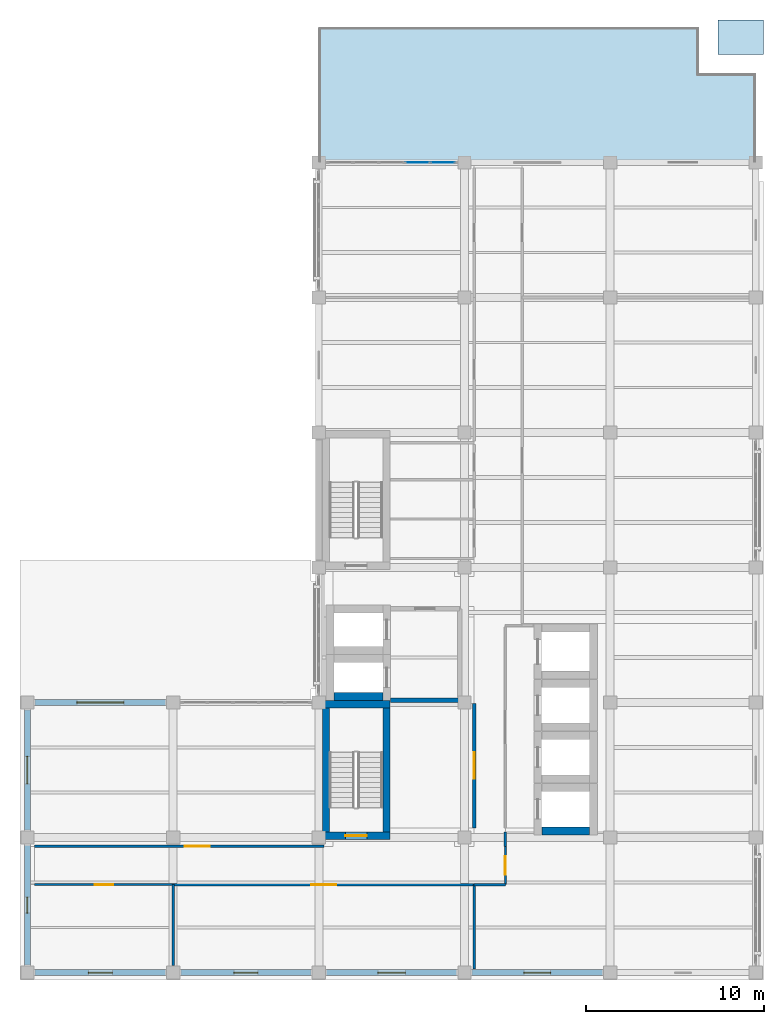
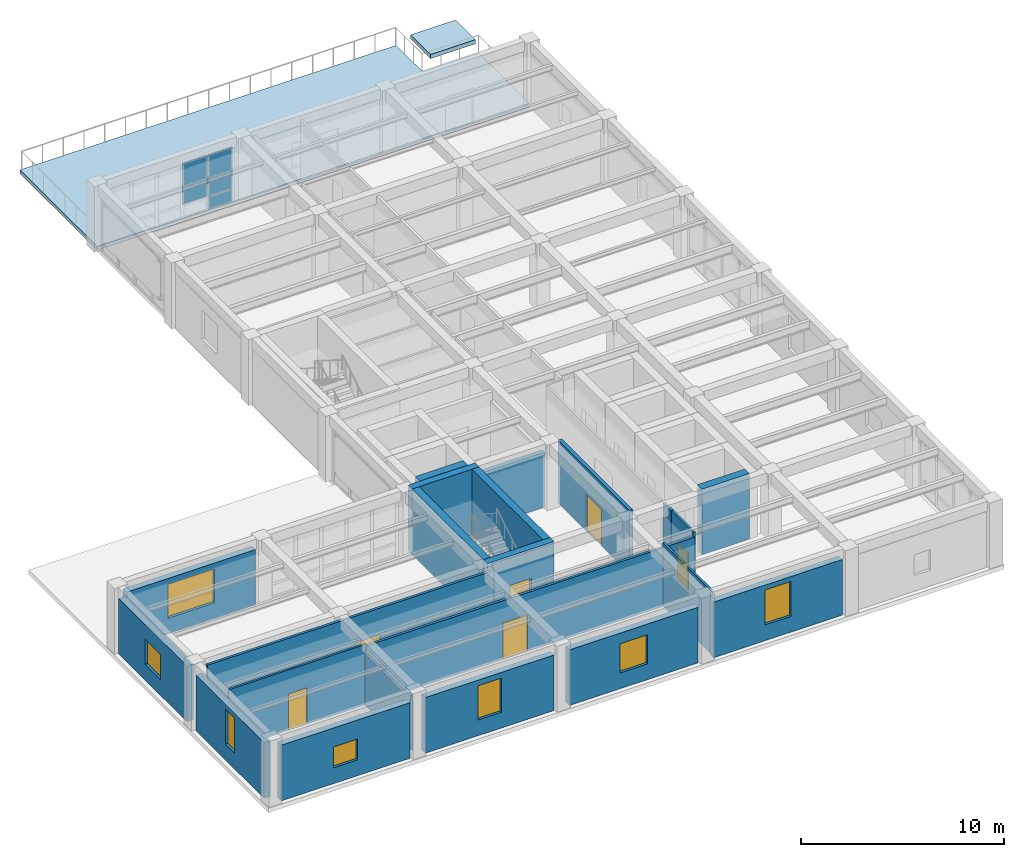
# One storey, part 6 of 12: 23 walls, 7 windows, 6 doors, 3 plates, 2 slabs, 13 openings, 1 element without a shape of its own.
"""IFC4 building model written with IfcOpenShell, lengths in metres."""

from ifc_helpers import new_model, si_unit, direction, frame, frame_2d, origin, origin_2d, place, context, subcontext, project, spatial, polyline, rectangle, outline, extrude, material, layer, layer_set, type_object, element, fill, aggregate, save


model = new_model("IFC4")

# Units and contexts
model_context = context("Model", 3, precision=1e-05, world=origin(), true_north=direction((0.0, 1.0)))
body_context = subcontext(model_context, "Body", "Model", "MODEL_VIEW")
ifc_project = project(units=[si_unit("LENGTHUNIT", "METRE"), si_unit("AREAUNIT", "SQUARE_METRE"), si_unit("VOLUMEUNIT", "CUBIC_METRE"), si_unit("PLANEANGLEUNIT", "RADIAN"), si_unit("MASSUNIT", "GRAM", prefix="KILO")], contexts=[model_context])

# Site, building, storey
site_placement = place(None, origin())
site = spatial("IfcSite", under=ifc_project, at=site_placement, CompositionType="ELEMENT")
building_placement = place(site_placement, origin())
building = spatial("IfcBuilding", under=site, at=building_placement, Name="Qandaris Square Conservatory and Botanical Centre", CompositionType="ELEMENT")
storey_placement = place(building_placement, frame((0.0, 0.0, 53.39990234375)))
storey = spatial("IfcBuildingStorey", under=building, at=storey_placement, Name="L12", CompositionType="ELEMENT", Elevation=53.39990234375)

# Curtain wall, plates
ifc_material_1 = material(Name="Anodised Aluminium", Category="aluminium")
curtain_wall_type = type_object("IfcCurtainWallType", Name="Unitised Curtain Wall CW-3-725x336", PredefinedType="USERDEFINED", material=ifc_material_1)
curtain_wall_placement = place(storey_placement, origin())
curtain_wall = element("IfcCurtainWall", 1, at=curtain_wall_placement, inside=storey, type_object=curtain_wall_type, Name="Curtain Wall CW-TWR-L12-3-3", ObjectType="GLAZED CURTAIN WALL", PredefinedType="USERDEFINED")
ifc_material_2 = material(Name="Tempered Low-E Glass", Category="glass")
ifc_layer_1 = layer(ifc_material_2, 0.035888671875)
ifc_layer_set_1 = layer_set([ifc_layer_1], Name="Tempered Low-E Glass")
plate_type = type_object("IfcPlateType", Name="Double-Glazed Solar Control Vision Unit 36mm", PredefinedType="CURTAIN_PANEL", material=ifc_layer_set_1)
plate_1_placement = place(storey_placement, frame((146.183837890625, 62.199951171875, 0.06494140625), z_axis=(0.0, 0.0, 1.0), x_axis=(-1.0, 0.0, 0.0)))
plate_1 = element("IfcPlate", 2, at=plate_1_placement, type_object=plate_type, Name="CW-3-725x336 panel 1.1", PredefinedType="CURTAIN_PANEL", context=body_context, shape_type="SweptSolid", body=[
    extrude(rectangle(XDim=1.3525390625, YDim=0.035888671875, at=origin_2d()), origin(), (0.0, 0.0, 1.0), 0.708984375),
])
plate_2_placement = place(storey_placement, frame((146.183837890625, 62.199951171875, 0.839111328125), z_axis=(0.0, 0.0, 1.0), x_axis=(-1.0, 0.0, 0.0)))
plate_2 = element("IfcPlate", 3, at=plate_2_placement, type_object=plate_type, Name="CW-3-725x336 panel 1.2", PredefinedType="CURTAIN_PANEL", context=body_context, shape_type="SweptSolid", body=[
    extrude(rectangle(XDim=1.3525390625, YDim=0.035888671875, at=origin_2d()), origin(), (0.0, 0.0, 1.0), 2.4560546875),
])
plate_3_placement = place(storey_placement, frame((144.75, 62.199951171875, 0.839111328125), z_axis=(0.0, 0.0, 1.0), x_axis=(-1.0, 0.0, 0.0)))
plate_3 = element("IfcPlate", 4, at=plate_3_placement, type_object=plate_type, Name="CW-3-725x336 panel 2.2", PredefinedType="CURTAIN_PANEL", context=body_context, shape_type="SweptSolid", body=[
    extrude(rectangle(XDim=1.385009765625, YDim=0.035888671875, at=origin_2d()), origin(), (0.0, 0.0, 1.0), 2.4560546875),
])
aggregate(curtain_wall, [plate_1, plate_2, plate_3])

# Slabs
ifc_material_3 = material(Name="Concrete C40/50", Category="concrete")
ifc_layer_2 = layer(ifc_material_3, 0.22998046875)
ifc_layer_set_2 = layer_set([ifc_layer_2], Name="Concrete C40/50")
slab_type_1 = type_object("IfcSlabType", Name="RC Exterior Terrace Slab 230mm", PredefinedType="FLOOR", material=ifc_layer_set_2)
slab_1_placement = place(storey_placement, frame((0.0, 0.0, -0.22998046875)))
element("IfcSlab", 5, at=slab_1_placement, inside=storey, type_object=slab_type_1, Name="Phytochemistry Setback Terrace L12", PredefinedType="FLOOR", context=body_context, shape_type="SweptSolid", body=[
    extrude(outline(polyline([(163.800048828125, 62.199951171875), (139.199951171875, 62.199951171875), (139.199951171875, 69.800048828125), (160.60009765625, 69.800048828125), (160.60009765625, 67.199951171875), (163.800048828125, 67.199951171875), (163.800048828125, 62.199951171875)])), origin(), (0.0, 0.0, 1.0), 0.22998046875),
])
ifc_layer_3 = layer(ifc_material_3, 0.2548828125)
ifc_layer_set_3 = layer_set([ifc_layer_3], Name="Concrete C40/50")
slab_type_2 = type_object("IfcSlabType", Name="RC Flat Roof Slab 255mm", PredefinedType="ROOF", material=ifc_layer_set_3)
slab_2_placement = place(storey_placement, frame((0.0, 0.0, -0.2548828125)))
element("IfcSlab", 6, at=slab_2_placement, inside=storey, type_object=slab_type_2, Name="Step-Back Flat Roof Slab L12-2", PredefinedType="ROOF", context=body_context, shape_type="SweptSolid", body=[
    extrude(outline(polyline([(164.219970703125, 68.27001953125), (161.669921875, 68.27001953125), (161.669921875, 70.219970703125), (164.219970703125, 70.219970703125), (164.219970703125, 68.27001953125)])), origin(), (0.0, 0.0, 1.0), 0.2548828125),
])

# Wall, opening, door
ifc_material_4 = material(Name="Gypsum Plasterboard", Category="gypsum")
ifc_layer_4 = layer(ifc_material_4, 0.14990234375)
ifc_layer_set_4 = layer_set([ifc_layer_4], Name="Gypsum Plasterboard")
wall_type_1 = type_object("IfcWallType", Name="Acoustic Laboratory Partition 150mm", PredefinedType="PARTITIONING", material=ifc_layer_set_4)
wall_1_placement = place(storey_placement, frame((147.949951171875, 21.550048828125, 0.0), z_axis=(0.0, 0.0, 1.0), x_axis=(-1.0, 0.0, 0.0)))
wall_1 = element("IfcWall", 7, at=wall_1_placement, inside=storey, type_object=wall_type_1, Name="Interior Partition IW-L12-0402", PredefinedType="PARTITIONING", context=body_context, shape_type="SweptSolid", body=[
    extrude(rectangle(XDim=16.949951171875, YDim=0.14990234375, at=frame_2d((8.47509765625, 0.0))), origin(), (0.0, 0.0, 1.0), 3.53515625),
])
opening_1_placement = place(wall_1_placement, frame((7.77490234375, 0.0, 0.0)))
opening_1 = element("IfcOpeningElement", 8, at=opening_1_placement, cuts=wall_1, Name="Opening D-LAB1", PredefinedType="OPENING", context=body_context, shape_type="SweptSolid", body=[
    extrude(rectangle(XDim=1.39990234375, YDim=2.199951171875, at=frame_2d((0.699951171875, 1.10009765625))), frame((0.0, 0.0869140625, 0.0), z_axis=(0.0, -1.0, 0.0), x_axis=(1.0, 0.0, 0.0)), (0.0, 0.0, 1.0), 0.173828125),
])
ifc_material_5 = material(Name="Engineered Oak Timber", Category="wood")
door_type_1 = type_object("IfcDoorType", Name="Research Laboratory Leaf-and-Half Door 1400x2200", OperationType="DOUBLE_DOOR_SINGLE_SWING", PredefinedType="DOOR", material=ifc_material_5)
door_1_placement = place(opening_1_placement, frame((1.39990234375, 0.0, 0.0), z_axis=(0.0, 0.0, 1.0), x_axis=(-1.0, 0.0, 0.0)))
door_1 = element("IfcDoor", 9, at=door_1_placement, inside=storey, type_object=door_type_1, Name="DR-0362 Cell Wall Biophysics Suite Door", OperationType="DOUBLE_DOOR_SINGLE_SWING", OverallHeight=2.199951171875, OverallWidth=1.39990234375, PredefinedType="DOOR", context=body_context, shape_type="SweptSolid", body=[
    extrude(rectangle(XDim=1.39990234375, YDim=2.199951171875, at=frame_2d((0.699951171875, 1.10009765625))), frame((0.0, 0.02490234375, 0.0), z_axis=(0.0, -1.0, 0.0), x_axis=(1.0, 0.0, 0.0)), (0.0, 0.0, 1.0), 0.050048828125),
])
fill(opening_1, door_1)

# Walls
wall_2_placement = place(storey_placement, frame((149.699951171875, 24.5, 0.0), z_axis=(0.0, 0.0, 1.0), x_axis=(0.0, -1.0, 0.0)))
element("IfcWall", 10, at=wall_2_placement, inside=storey, type_object=wall_type_1, Name="Interior Partition IW-L12-0403", PredefinedType="PARTITIONING", context=body_context, shape_type="SweptSolid", body=[
    extrude(rectangle(XDim=0.800048828125, YDim=0.14990234375, at=frame_2d((0.39990234375, 0.0))), origin(), (0.0, 0.0, 1.0), 3.80517578125),
])
wall_3_placement = place(storey_placement, frame((149.699951171875, 21.550048828125, 0.0), z_axis=(0.0, 0.0, 1.0), x_axis=(-1.0, 0.0, 0.0)))
element("IfcWall", 11, at=wall_3_placement, inside=storey, type_object=wall_type_1, Name="Interior Partition IW-L12-0405", PredefinedType="PARTITIONING", context=body_context, shape_type="SweptSolid", body=[
    extrude(rectangle(XDim=1.75, YDim=0.14990234375, at=frame_2d((0.875, 0.0))), origin(), (0.0, 0.0, 1.0), 3.53515625),
])

# Wall, opening, door
wall_4_placement = place(storey_placement, frame((123.199951171875, 23.699951171875, 0.0), z_axis=(0.0, 0.0, 1.0), x_axis=(1.0, 0.0, 0.0)))
wall_4 = element("IfcWall", 12, at=wall_4_placement, inside=storey, type_object=wall_type_1, Name="Interior Partition IW-L12-0410", PredefinedType="PARTITIONING", context=body_context, shape_type="SweptSolid", body=[
    extrude(rectangle(XDim=16.300048828125, YDim=0.14990234375, at=frame_2d((8.14990234375, 0.0))), origin(), (0.0, 0.0, 1.0), 3.80517578125),
])
opening_2_placement = place(wall_4_placement, frame((8.452880859375, 0.0, 0.0)))
opening_2 = element("IfcOpeningElement", 13, at=opening_2_placement, cuts=wall_4, Name="Opening D-LAB1", PredefinedType="OPENING", context=body_context, shape_type="SweptSolid", body=[
    extrude(rectangle(XDim=1.39990234375, YDim=2.199951171875, at=frame_2d((0.699951171875, 1.10009765625))), frame((0.0, 0.0869140625, 0.0), z_axis=(0.0, -1.0, 0.0), x_axis=(1.0, 0.0, 0.0)), (0.0, 0.0, 1.0), 0.173828125),
])
door_2_placement = place(opening_2_placement, frame((1.39990234375, 0.0, 0.0), z_axis=(0.0, 0.0, 1.0), x_axis=(-1.0, 0.0, 0.0)))
door_2 = element("IfcDoor", 14, at=door_2_placement, inside=storey, type_object=door_type_1, Name="DR-0364 Metabolomics Research Laboratory Door", OperationType="DOUBLE_DOOR_SINGLE_SWING", OverallHeight=2.199951171875, OverallWidth=1.39990234375, PredefinedType="DOOR", context=body_context, shape_type="SweptSolid", body=[
    extrude(rectangle(XDim=1.39990234375, YDim=2.199951171875, at=frame_2d((0.699951171875, 1.10009765625))), frame((0.0, 0.02490234375, 0.0), z_axis=(0.0, -1.0, 0.0), x_axis=(1.0, 0.0, 0.0)), (0.0, 0.0, 1.0), 0.050048828125),
])
fill(opening_2, door_2)

# Wall
wall_5_placement = place(storey_placement, frame((131.0, 21.550048828125, 0.0), z_axis=(0.0, 0.0, 1.0), x_axis=(0.0, -1.0, 0.0)))
element("IfcWall", 15, at=wall_5_placement, inside=storey, type_object=wall_type_1, Name="Interior Partition IW-L12-0411", PredefinedType="PARTITIONING", context=body_context, shape_type="SweptSolid", body=[
    extrude(rectangle(XDim=4.554931640625, YDim=0.14990234375, at=frame_2d((2.27734375, 0.0))), origin(), (0.0, 0.0, 1.0), 3.295166015625),
])

# Wall, opening, window
ifc_material_6 = material(Name="Precast concrete C40/50", Category="concrete")
ifc_layer_5 = layer(ifc_material_6, 0.360107421875)
ifc_layer_set_5 = layer_set([ifc_layer_5], Name="Precast concrete C40/50")
wall_type_2 = type_object("IfcWallType", Name="Architectural Precast Cladding Wall 360mm", PredefinedType="SOLIDWALL", material=ifc_layer_set_5)
wall_6_placement = place(storey_placement, frame((123.235107421875, 16.60009765625, 0.0), z_axis=(0.0, 0.0, 1.0), x_axis=(1.0, 0.0, 0.0)))
wall_6 = element("IfcWall", 16, at=wall_6_placement, inside=storey, type_object=wall_type_2, Name="Exterior Wall EW-TWR-L12-1-1", PredefinedType="SOLIDWALL", context=body_context, shape_type="SweptSolid", body=[
    extrude(rectangle(XDim=7.329833984375, YDim=0.360107421875, at=frame_2d((3.6650390625, 0.0))), origin(), (0.0, 0.0, 1.0), 3.34521484375),
])
opening_3_placement = place(wall_6_placement, frame((2.989990234375, 0.0, 0.949951171875)))
opening_3 = element("IfcOpeningElement", 17, at=opening_3_placement, cuts=wall_6, Name="Opening WN-21", PredefinedType="OPENING", context=body_context, shape_type="SweptSolid", body=[
    extrude(rectangle(XDim=1.35009765625, YDim=1.25, at=frame_2d((0.675048828125, 0.625))), frame((0.0, 0.19189453125, 0.0), z_axis=(0.0, -1.0, 0.0), x_axis=(1.0, 0.0, 0.0)), (0.0, 0.0, 1.0), 0.384033203125),
])
window_type_1 = type_object("IfcWindowType", Name="Solar Control Window 1350x1250", PartitioningType="SINGLE_PANEL", PredefinedType="WINDOW", material=ifc_material_2)
window_1_placement = place(opening_3_placement, origin())
window_1 = element("IfcWindow", 18, at=window_1_placement, inside=storey, type_object=window_type_1, Name="Window EW-TWR-L12-1-1", OverallHeight=1.25, OverallWidth=1.35009765625, PartitioningType="SINGLE_PANEL", PredefinedType="WINDOW", context=body_context, shape_type="SweptSolid", body=[
    extrude(rectangle(XDim=1.35009765625, YDim=1.25, at=frame_2d((0.675048828125, 0.625))), frame((0.0, 0.030029296875, 0.0), z_axis=(0.0, -1.0, 0.0), x_axis=(1.0, 0.0, 0.0)), (0.0, 0.0, 1.0), 0.06005859375),
])
fill(opening_3, window_1)

wall_7_placement = place(storey_placement, frame((131.43505859375, 16.60009765625, 0.0), z_axis=(0.0, 0.0, 1.0), x_axis=(1.0, 0.0, 0.0)))
wall_7 = element("IfcWall", 19, at=wall_7_placement, inside=storey, type_object=wall_type_2, Name="Exterior Wall EW-TWR-L12-1-2", PredefinedType="SOLIDWALL", context=body_context, shape_type="SweptSolid", body=[
    extrude(rectangle(XDim=7.329833984375, YDim=0.360107421875, at=frame_2d((3.6650390625, 0.0))), origin(), (0.0, 0.0, 1.0), 3.34521484375),
])
opening_4_placement = place(wall_7_placement, frame((2.989990234375, 0.0, 0.949951171875)))
opening_4 = element("IfcOpeningElement", 20, at=opening_4_placement, cuts=wall_7, Name="Opening WN-24", PredefinedType="OPENING", context=body_context, shape_type="SweptSolid", body=[
    extrude(rectangle(XDim=1.35009765625, YDim=2.050048828125, at=frame_2d((0.675048828125, 1.02490234375))), frame((0.0, 0.19189453125, 0.0), z_axis=(0.0, -1.0, 0.0), x_axis=(1.0, 0.0, 0.0)), (0.0, 0.0, 1.0), 0.384033203125),
])
window_type_2 = type_object("IfcWindowType", Name="Solar Control Window 1350x2050", PartitioningType="SINGLE_PANEL", PredefinedType="WINDOW", material=ifc_material_2)
window_2_placement = place(opening_4_placement, origin())
window_2 = element("IfcWindow", 21, at=window_2_placement, inside=storey, type_object=window_type_2, Name="Window EW-TWR-L12-1-2", OverallHeight=2.050048828125, OverallWidth=1.35009765625, PartitioningType="SINGLE_PANEL", PredefinedType="WINDOW", context=body_context, shape_type="SweptSolid", body=[
    extrude(rectangle(XDim=1.35009765625, YDim=2.050048828125, at=frame_2d((0.675048828125, 1.02490234375))), frame((0.0, 0.030029296875, 0.0), z_axis=(0.0, -1.0, 0.0), x_axis=(1.0, 0.0, 0.0)), (0.0, 0.0, 1.0), 0.06005859375),
])
fill(opening_4, window_2)

wall_8_placement = place(storey_placement, frame((139.635009765625, 16.60009765625, 0.0), z_axis=(0.0, 0.0, 1.0), x_axis=(1.0, 0.0, 0.0)))
wall_8 = element("IfcWall", 22, at=wall_8_placement, inside=storey, type_object=wall_type_2, Name="Exterior Wall EW-TWR-L12-1-3", PredefinedType="SOLIDWALL", context=body_context, shape_type="SweptSolid", body=[
    extrude(rectangle(XDim=7.330078125, YDim=0.360107421875, at=frame_2d((3.6650390625, 0.0))), origin(), (0.0, 0.0, 1.0), 3.34521484375),
])
opening_5_placement = place(wall_8_placement, frame((2.889892578125, 0.0, 0.949951171875)))
opening_5 = element("IfcOpeningElement", 23, at=opening_5_placement, cuts=wall_8, Name="Opening WN-27", PredefinedType="OPENING", context=body_context, shape_type="SweptSolid", body=[
    extrude(rectangle(XDim=1.550048828125, YDim=1.75, at=frame_2d((0.77490234375, 0.875))), frame((0.0, 0.19189453125, 0.0), z_axis=(0.0, -1.0, 0.0), x_axis=(1.0, 0.0, 0.0)), (0.0, 0.0, 1.0), 0.384033203125),
])
window_type_3 = type_object("IfcWindowType", Name="Solar Control Window 1550x1750", PartitioningType="DOUBLE_PANEL_VERTICAL", PredefinedType="WINDOW", material=ifc_material_2)
window_3_placement = place(opening_5_placement, origin())
window_3 = element("IfcWindow", 24, at=window_3_placement, inside=storey, type_object=window_type_3, Name="Window EW-TWR-L12-1-3", OverallHeight=1.75, OverallWidth=1.550048828125, PartitioningType="DOUBLE_PANEL_VERTICAL", PredefinedType="WINDOW", context=body_context, shape_type="SweptSolid", body=[
    extrude(rectangle(XDim=1.550048828125, YDim=1.75, at=frame_2d((0.77490234375, 0.875))), frame((0.0, 0.030029296875, 0.0), z_axis=(0.0, -1.0, 0.0), x_axis=(1.0, 0.0, 0.0)), (0.0, 0.0, 1.0), 0.06005859375),
])
fill(opening_5, window_3)

wall_9_placement = place(storey_placement, frame((147.8349609375, 16.60009765625, 0.0), z_axis=(0.0, 0.0, 1.0), x_axis=(1.0, 0.0, 0.0)))
wall_9 = element("IfcWall", 25, at=wall_9_placement, inside=storey, type_object=wall_type_2, Name="Exterior Wall EW-TWR-L12-1-4", PredefinedType="SOLIDWALL", context=body_context, shape_type="SweptSolid", body=[
    extrude(rectangle(XDim=7.330078125, YDim=0.360107421875, at=frame_2d((3.6650390625, 0.0))), origin(), (0.0, 0.0, 1.0), 3.34521484375),
])
opening_6_placement = place(wall_9_placement, frame((2.9150390625, 0.0, 0.949951171875)))
opening_6 = element("IfcOpeningElement", 26, at=opening_6_placement, cuts=wall_9, Name="Opening WN-02", PredefinedType="OPENING", context=body_context, shape_type="SweptSolid", body=[
    extrude(rectangle(XDim=1.5, YDim=2.10009765625, at=frame_2d((0.75, 1.050048828125))), frame((0.0, 0.19189453125, 0.0), z_axis=(0.0, -1.0, 0.0), x_axis=(1.0, 0.0, 0.0)), (0.0, 0.0, 1.0), 0.384033203125),
])
window_type_4 = type_object("IfcWindowType", Name="Deep-Set Paired Research Window 1500x2100", PartitioningType="DOUBLE_PANEL_VERTICAL", PredefinedType="WINDOW", material=ifc_material_2)
window_4_placement = place(opening_6_placement, origin())
window_4 = element("IfcWindow", 27, at=window_4_placement, inside=storey, type_object=window_type_4, Name="Window EW-TWR-L12-1-4", OverallHeight=2.10009765625, OverallWidth=1.5, PartitioningType="DOUBLE_PANEL_VERTICAL", PredefinedType="WINDOW", context=body_context, shape_type="SweptSolid", body=[
    extrude(rectangle(XDim=1.5, YDim=2.10009765625, at=frame_2d((0.75, 1.050048828125))), frame((0.0, 0.030029296875, 0.0), z_axis=(0.0, -1.0, 0.0), x_axis=(1.0, 0.0, 0.0)), (0.0, 0.0, 1.0), 0.06005859375),
])
fill(opening_6, window_4)

wall_10_placement = place(storey_placement, frame((130.56494140625, 31.800048828125, 0.0), z_axis=(0.0, 0.0, 1.0), x_axis=(-1.0, 0.0, 0.0)))
wall_10 = element("IfcWall", 28, at=wall_10_placement, inside=storey, type_object=wall_type_2, Name="Exterior Wall EW-TWR-L12-5-2", PredefinedType="SOLIDWALL", context=body_context, shape_type="SweptSolid", body=[
    extrude(rectangle(XDim=7.329833984375, YDim=0.360107421875, at=frame_2d((3.6650390625, 0.0))), origin(), (0.0, 0.0, 1.0), 3.34521484375),
])
opening_7_placement = place(wall_10_placement, frame((2.340087890625, 0.0, 0.949951171875)))
opening_7 = element("IfcOpeningElement", 29, at=opening_7_placement, cuts=wall_10, Name="Opening WN-44", PredefinedType="OPENING", context=body_context, shape_type="SweptSolid", body=[
    extrude(rectangle(XDim=2.64990234375, YDim=2.050048828125, at=frame_2d((1.324951171875, 1.02490234375))), frame((0.0, 0.19189453125, 0.0), z_axis=(0.0, -1.0, 0.0), x_axis=(1.0, 0.0, 0.0)), (0.0, 0.0, 1.0), 0.384033203125),
])
window_type_5 = type_object("IfcWindowType", Name="Solar Control Window 2650x2050", PartitioningType="DOUBLE_PANEL_VERTICAL", PredefinedType="WINDOW", material=ifc_material_2)
window_5_placement = place(opening_7_placement, origin())
window_5 = element("IfcWindow", 30, at=window_5_placement, inside=storey, type_object=window_type_5, Name="Window EW-TWR-L12-5-2", OverallHeight=2.050048828125, OverallWidth=2.64990234375, PartitioningType="DOUBLE_PANEL_VERTICAL", PredefinedType="WINDOW", context=body_context, shape_type="SweptSolid", body=[
    extrude(rectangle(XDim=2.64990234375, YDim=2.050048828125, at=frame_2d((1.324951171875, 1.02490234375))), frame((0.0, 0.030029296875, 0.0), z_axis=(0.0, -1.0, 0.0), x_axis=(1.0, 0.0, 0.0)), (0.0, 0.0, 1.0), 0.06005859375),
])
fill(opening_7, window_5)

wall_11_placement = place(storey_placement, frame((122.800048828125, 31.364990234375, 0.0), z_axis=(0.0, 0.0, 1.0), x_axis=(0.0, -1.0, 0.0)))
wall_11 = element("IfcWall", 31, at=wall_11_placement, inside=storey, type_object=wall_type_2, Name="Exterior Wall EW-TWR-L12-6-1", PredefinedType="SOLIDWALL", context=body_context, shape_type="SweptSolid", body=[
    extrude(rectangle(XDim=6.72998046875, YDim=0.360107421875, at=frame_2d((3.364990234375, 0.0))), origin(), (0.0, 0.0, 1.0), 3.34521484375),
])
opening_8_placement = place(wall_11_placement, frame((2.590087890625, 0.0, 0.949951171875)))
opening_8 = element("IfcOpeningElement", 32, at=opening_8_placement, cuts=wall_11, Name="Opening WN-26", PredefinedType="OPENING", context=body_context, shape_type="SweptSolid", body=[
    extrude(rectangle(XDim=1.550048828125, YDim=1.5, at=frame_2d((0.77490234375, 0.75))), frame((0.0, 0.19189453125, 0.0), z_axis=(0.0, -1.0, 0.0), x_axis=(1.0, 0.0, 0.0)), (0.0, 0.0, 1.0), 0.384033203125),
])
window_type_6 = type_object("IfcWindowType", Name="Solar Control Window 1550x1500", PartitioningType="DOUBLE_PANEL_VERTICAL", PredefinedType="WINDOW", material=ifc_material_2)
window_6_placement = place(opening_8_placement, origin())
window_6 = element("IfcWindow", 33, at=window_6_placement, inside=storey, type_object=window_type_6, Name="Window EW-TWR-L12-6-1", OverallHeight=1.5, OverallWidth=1.550048828125, PartitioningType="DOUBLE_PANEL_VERTICAL", PredefinedType="WINDOW", context=body_context, shape_type="SweptSolid", body=[
    extrude(rectangle(XDim=1.550048828125, YDim=1.5, at=frame_2d((0.77490234375, 0.75))), frame((0.0, 0.030029296875, 0.0), z_axis=(0.0, -1.0, 0.0), x_axis=(1.0, 0.0, 0.0)), (0.0, 0.0, 1.0), 0.06005859375),
])
fill(opening_8, window_6)

wall_12_placement = place(storey_placement, frame((122.800048828125, 23.764892578125, 0.0), z_axis=(0.0, 0.0, 1.0), x_axis=(0.0, -1.0, 0.0)))
wall_12 = element("IfcWall", 34, at=wall_12_placement, inside=storey, type_object=wall_type_2, Name="Exterior Wall EW-TWR-L12-6-2", PredefinedType="SOLIDWALL", context=body_context, shape_type="SweptSolid", body=[
    extrude(rectangle(XDim=6.72998046875, YDim=0.360107421875, at=frame_2d((3.364990234375, 0.0))), origin(), (0.0, 0.0, 1.0), 3.34521484375),
])
opening_9_placement = place(wall_12_placement, frame((2.9150390625, 0.0, 0.949951171875)))
opening_9 = element("IfcOpeningElement", 35, at=opening_9_placement, cuts=wall_12, Name="Opening WN-01", PredefinedType="OPENING", context=body_context, shape_type="SweptSolid", body=[
    extrude(rectangle(XDim=0.89990234375, YDim=2.10009765625, at=frame_2d((0.449951171875, 1.050048828125))), frame((0.0, 0.19189453125, 0.0), z_axis=(0.0, -1.0, 0.0), x_axis=(1.0, 0.0, 0.0)), (0.0, 0.0, 1.0), 0.384033203125),
])
window_type_7 = type_object("IfcWindowType", Name="Deep-Set Solar Slot Window 900x2100", PartitioningType="SINGLE_PANEL", PredefinedType="WINDOW", material=ifc_material_2)
window_7_placement = place(opening_9_placement, origin())
window_7 = element("IfcWindow", 36, at=window_7_placement, inside=storey, type_object=window_type_7, Name="Window EW-TWR-L12-6-2", OverallHeight=2.10009765625, OverallWidth=0.89990234375, PartitioningType="SINGLE_PANEL", PredefinedType="WINDOW", context=body_context, shape_type="SweptSolid", body=[
    extrude(rectangle(XDim=0.89990234375, YDim=2.10009765625, at=frame_2d((0.449951171875, 1.050048828125))), frame((0.0, 0.030029296875, 0.0), z_axis=(0.0, -1.0, 0.0), x_axis=(1.0, 0.0, 0.0)), (0.0, 0.0, 1.0), 0.06005859375),
])
fill(opening_9, window_7)

# Wall
ifc_layer_6 = layer(ifc_material_3, 0.25)
ifc_layer_set_6 = layer_set([ifc_layer_6], Name="Concrete C40/50")
wall_type_3 = type_object("IfcWallType", Name="Firefighting Lobby Compartment Wall 250mm", PredefinedType="SOLIDWALL", material=ifc_layer_set_6)
wall_13_placement = place(storey_placement, frame((143.25, 31.925048828125, 0.0), z_axis=(0.0, 0.0, 1.0), x_axis=(1.0, 0.0, 0.0)))
element("IfcWall", 37, at=wall_13_placement, inside=storey, type_object=wall_type_3, Name="Firefighting Lobby Wall South (L12)", PredefinedType="SOLIDWALL", context=body_context, shape_type="SweptSolid", body=[
    extrude(rectangle(XDim=3.875, YDim=0.25, at=frame_2d((1.9375, 0.0))), origin(), (0.0, 0.0, 1.0), 3.295166015625),
])

# Wall, opening, door
ifc_layer_7 = layer(ifc_material_3, 0.199951171875)
ifc_layer_set_7 = layer_set([ifc_layer_7], Name="Concrete C40/50")
wall_type_4 = type_object("IfcWallType", Name="Herbarium & Plant Compartment Wall 200mm", PredefinedType="PARTITIONING", material=ifc_layer_set_7)
wall_14_placement = place(storey_placement, frame((147.949951171875, 31.75, 0.0), z_axis=(0.0, 0.0, 1.0), x_axis=(0.0, -1.0, 0.0)))
wall_14 = element("IfcWall", 38, at=wall_14_placement, inside=storey, type_object=wall_type_4, Name="Interior Partition IW-L12-0392", PredefinedType="PARTITIONING", context=body_context, shape_type="SweptSolid", body=[
    extrude(rectangle(XDim=7.0, YDim=0.199951171875, at=frame_2d((3.5, 0.0))), origin(), (0.0, 0.0, 1.0), 3.80517578125),
])
opening_10_placement = place(wall_14_placement, frame((2.75, 0.0, 0.0)))
opening_10 = element("IfcOpeningElement", 39, at=opening_10_placement, cuts=wall_14, Name="Opening D-PLT1", PredefinedType="OPENING", context=body_context, shape_type="SweptSolid", body=[
    extrude(rectangle(XDim=1.5, YDim=2.199951171875, at=frame_2d((0.75, 1.10009765625))), frame((0.0, 0.11181640625, 0.0), z_axis=(0.0, -1.0, 0.0), x_axis=(1.0, 0.0, 0.0)), (0.0, 0.0, 1.0), 0.223876953125),
])
ifc_material_7 = material(Name="Steel S355", Category="steel")
door_type_2 = type_object("IfcDoorType", Name="Plant & Riser Double Fire Door 1500x2200", OperationType="DOUBLE_DOOR_SINGLE_SWING", PredefinedType="DOOR", material=ifc_material_7)
door_3_placement = place(opening_10_placement, origin())
door_3 = element("IfcDoor", 40, at=door_3_placement, inside=storey, type_object=door_type_2, Name="DR-0370 Electrical and Telecom Riser Room L12 Door", OperationType="DOUBLE_DOOR_SINGLE_SWING", OverallHeight=2.199951171875, OverallWidth=1.5, PredefinedType="DOOR", context=body_context, shape_type="SweptSolid", body=[
    extrude(rectangle(XDim=1.5, YDim=2.199951171875, at=frame_2d((0.75, 1.10009765625))), frame((0.0, 0.02490234375, 0.0), z_axis=(0.0, -1.0, 0.0), x_axis=(1.0, 0.0, 0.0)), (0.0, 0.0, 1.0), 0.050048828125),
])
fill(opening_10, door_3)

# Walls
ifc_material_8 = material(Name="Concrete C50/60", Category="concrete")
ifc_layer_8 = layer(ifc_material_8, 0.449951171875)
ifc_layer_set_8 = layer_set([ifc_layer_8], Name="Concrete C50/60")
wall_type_5 = type_object("IfcWallType", Name="RC Coupled Core Shear Wall 450mm", PredefinedType="SHEAR", material=ifc_layer_set_8)
wall_15_placement = place(storey_placement, frame((140.06005859375, 32.135009765625, 0.0), z_axis=(0.0, 0.0, 1.0), x_axis=(1.0, 0.0, 0.0)))
element("IfcWall", 41, at=wall_15_placement, inside=storey, type_object=wall_type_5, Name="Lift FFL1 Shaft Wall South (L12)", PredefinedType="SHEAR", context=body_context, shape_type="SweptSolid", body=[
    extrude(rectangle(XDim=2.739990234375, YDim=0.449951171875, at=frame_2d((1.3701171875, 0.0))), origin(), (0.0, 0.0, 1.0), 3.960205078125),
])
wall_16_placement = place(storey_placement, frame((151.75, 24.574951171875, 0.0), z_axis=(0.0, 0.0, 1.0), x_axis=(1.0, 0.0, 0.0)))
element("IfcWall", 42, at=wall_16_placement, inside=storey, type_object=wall_type_5, Name="Lift PL1 Shaft Wall South (L12)", PredefinedType="SHEAR", context=body_context, shape_type="SweptSolid", body=[
    extrude(rectangle(XDim=2.699951171875, YDim=0.449951171875, at=frame_2d((1.35009765625, 0.0))), origin(), (0.0, 0.0, 1.0), 3.960205078125),
])

# Wall, opening, door
ifc_layer_9 = layer(ifc_material_8, 0.39990234375)
ifc_layer_set_9 = layer_set([ifc_layer_9], Name="Concrete C50/60")
wall_type_6 = type_object("IfcWallType", Name="RC Stair Core Shear Wall 400mm", PredefinedType="SHEAR", material=ifc_layer_set_9)
wall_17_placement = place(storey_placement, frame((139.39990234375, 24.300048828125, 0.0), z_axis=(0.0, 0.0, 1.0), x_axis=(1.0, 0.0, 0.0)))
wall_17 = element("IfcWall", 43, at=wall_17_placement, inside=storey, type_object=wall_type_6, Name="ST-1 Core Shear Wall South (L12)", PredefinedType="SHEAR", context=body_context, shape_type="SweptSolid", body=[
    extrude(rectangle(XDim=3.800048828125, YDim=0.39990234375, at=frame_2d((1.89990234375, 0.0))), origin(), (0.0, 0.0, 1.0), 3.960205078125),
])
opening_11_placement = place(wall_17_placement, frame((1.300048828125, 0.0, 0.0)))
opening_11 = element("IfcOpeningElement", 44, at=opening_11_placement, cuts=wall_17, Name="Opening D-ST1", PredefinedType="OPENING", context=body_context, shape_type="SweptSolid", body=[
    extrude(rectangle(XDim=1.199951171875, YDim=2.199951171875, at=frame_2d((0.60009765625, 1.10009765625))), frame((0.0, 0.2119140625, 0.0), z_axis=(0.0, -1.0, 0.0), x_axis=(1.0, 0.0, 0.0)), (0.0, 0.0, 1.0), 0.423828125),
])
door_type_3 = type_object("IfcDoorType", Name="Exit Stair Core Fire Door 1200x2200", OperationType="NOTDEFINED", PredefinedType="DOOR", material=ifc_material_7)
door_4_placement = place(opening_11_placement, origin())
door_4 = element("IfcDoor", 45, at=door_4_placement, inside=storey, type_object=door_type_3, Name="DR-0371 ST-1 Stair Core Door (L12)", OperationType="SINGLE_SWING_RIGHT", OverallHeight=2.199951171875, OverallWidth=1.199951171875, PredefinedType="DOOR", context=body_context, shape_type="SweptSolid", body=[
    extrude(rectangle(XDim=1.199951171875, YDim=2.199951171875, at=frame_2d((0.60009765625, 1.10009765625))), frame((0.0, 0.02490234375, 0.0), z_axis=(0.0, -1.0, 0.0), x_axis=(1.0, 0.0, 0.0)), (0.0, 0.0, 1.0), 0.050048828125),
])
fill(opening_11, door_4)

# Walls
wall_18_placement = place(storey_placement, frame((139.39990234375, 31.699951171875, 0.0), z_axis=(0.0, 0.0, 1.0), x_axis=(1.0, 0.0, 0.0)))
element("IfcWall", 46, at=wall_18_placement, inside=storey, type_object=wall_type_6, Name="ST-1 Core Shear Wall North (L12)", PredefinedType="SHEAR", context=body_context, shape_type="SweptSolid", body=[
    extrude(rectangle(XDim=3.800048828125, YDim=0.39990234375, at=frame_2d((1.89990234375, 0.0))), origin(), (0.0, 0.0, 1.0), 3.960205078125),
])
for number, where, z_axis, x_axis, name in (
    (47, (139.60009765625, 24.5, 0.0), (0.0, 0.0, 1.0), (0.0, 1.0, 0.0), "ST-1 Core Shear Wall West (L12)"),
    (48, (143.0, 24.5, 0.0), (0.0, 0.0, 1.0), (0.0, 1.0, 0.0), "ST-1 Core Shear Wall East (L12)"),
):
    element("IfcWall", number, at=place(storey_placement, frame(where, z_axis=z_axis, x_axis=x_axis)), inside=storey, type_object=wall_type_6, Name=name, PredefinedType="SHEAR", context=body_context, shape_type="SweptSolid", body=[
        extrude(rectangle(XDim=7.0, YDim=0.39990234375, at=frame_2d((3.5, 0.0))), origin(), (0.0, 0.0, 1.0), 3.960205078125),
    ])

# Wall, opening, door
ifc_layer_10 = layer(ifc_material_4, 0.1201171875)
ifc_layer_set_10 = layer_set([ifc_layer_10], Name="Gypsum Plasterboard")
wall_type_7 = type_object("IfcWallType", Name="Standard Research Partition 120mm", PredefinedType="PARTITIONING", material=ifc_layer_set_10)
wall_19_placement = place(storey_placement, frame((131.0, 21.550048828125, 0.0), z_axis=(0.0, 0.0, 1.0), x_axis=(-1.0, 0.0, 0.0)))
wall_19 = element("IfcWall", 49, at=wall_19_placement, inside=storey, type_object=wall_type_7, Name="Interior Partition IW-L12-0401", PredefinedType="PARTITIONING", context=body_context, shape_type="SweptSolid", body=[
    extrude(rectangle(XDim=7.800048828125, YDim=0.1201171875, at=frame_2d((3.89990234375, 0.0))), origin(), (0.0, 0.0, 1.0), 3.635009765625),
])
opening_12_placement = place(wall_19_placement, frame((3.375, 0.0, 0.0)))
opening_12 = element("IfcOpeningElement", 50, at=opening_12_placement, cuts=wall_19, Name="Opening D-LAB2", PredefinedType="OPENING", context=body_context, shape_type="SweptSolid", body=[
    extrude(rectangle(XDim=1.050048828125, YDim=2.199951171875, at=frame_2d((0.52490234375, 1.10009765625))), frame((0.0, 0.072021484375, 0.0), z_axis=(0.0, -1.0, 0.0), x_axis=(1.0, 0.0, 0.0)), (0.0, 0.0, 1.0), 0.14404296875),
])
door_type_4 = type_object("IfcDoorType", Name="Analytical Laboratory Single Door 1050x2200", OperationType="NOTDEFINED", PredefinedType="DOOR", material=ifc_material_5)
door_5_placement = place(opening_12_placement, origin())
door_5 = element("IfcDoor", 51, at=door_5_placement, inside=storey, type_object=door_type_4, Name="DR-0365 Molecular Plant Biology Research Laboratory Door", OperationType="SINGLE_SWING_LEFT", OverallHeight=2.199951171875, OverallWidth=1.050048828125, PredefinedType="DOOR", context=body_context, shape_type="SweptSolid", body=[
    extrude(rectangle(XDim=1.050048828125, YDim=2.199951171875, at=frame_2d((0.52490234375, 1.10009765625))), frame((0.0, 0.02490234375, 0.0), z_axis=(0.0, -1.0, 0.0), x_axis=(1.0, 0.0, 0.0)), (0.0, 0.0, 1.0), 0.050048828125),
])
fill(opening_12, door_5)

wall_20_placement = place(storey_placement, frame((149.699951171875, 23.699951171875, 0.0), z_axis=(0.0, 0.0, 1.0), x_axis=(0.0, -1.0, 0.0)))
wall_20 = element("IfcWall", 52, at=wall_20_placement, inside=storey, type_object=wall_type_7, Name="Interior Partition IW-L12-0404", PredefinedType="PARTITIONING", context=body_context, shape_type="SweptSolid", body=[
    extrude(rectangle(XDim=2.14990234375, YDim=0.1201171875, at=frame_2d((1.074951171875, 0.0))), origin(), (0.0, 0.0, 1.0), 3.80517578125),
])
opening_13_placement = place(wall_20_placement, frame((0.550048828125, 0.0, 0.0)))
opening_13 = element("IfcOpeningElement", 53, at=opening_13_placement, cuts=wall_20, Name="Opening D-LAB2", PredefinedType="OPENING", context=body_context, shape_type="SweptSolid", body=[
    extrude(rectangle(XDim=1.050048828125, YDim=2.199951171875, at=frame_2d((0.52490234375, 1.10009765625))), frame((0.0, 0.072021484375, 0.0), z_axis=(0.0, -1.0, 0.0), x_axis=(1.0, 0.0, 0.0)), (0.0, 0.0, 1.0), 0.14404296875),
])
door_6_placement = place(opening_13_placement, origin())
door_6 = element("IfcDoor", 54, at=door_6_placement, inside=storey, type_object=door_type_4, Name="DR-0366 Floor L12 Instrument and Balance Room Door", OperationType="SINGLE_SWING_RIGHT", OverallHeight=2.199951171875, OverallWidth=1.050048828125, PredefinedType="DOOR", context=body_context, shape_type="SweptSolid", body=[
    extrude(rectangle(XDim=1.050048828125, YDim=2.199951171875, at=frame_2d((0.52490234375, 1.10009765625))), frame((0.0, 0.02490234375, 0.0), z_axis=(0.0, -1.0, 0.0), x_axis=(1.0, 0.0, 0.0)), (0.0, 0.0, 1.0), 0.050048828125),
])
fill(opening_13, door_6)

# Wall
wall_21_placement = place(storey_placement, frame((147.949951171875, 21.550048828125, 0.0), z_axis=(0.0, 0.0, 1.0), x_axis=(0.0, -1.0, 0.0)))
element("IfcWall", 55, at=wall_21_placement, inside=storey, type_object=wall_type_7, Name="Interior Partition IW-L12-0412", PredefinedType="PARTITIONING", context=body_context, shape_type="SweptSolid", body=[
    extrude(rectangle(XDim=4.739990234375, YDim=0.1201171875, at=frame_2d((2.3701171875, 0.0))), origin(), (0.0, 0.0, 1.0), 3.80517578125),
])

save(model, "model.ifc")
